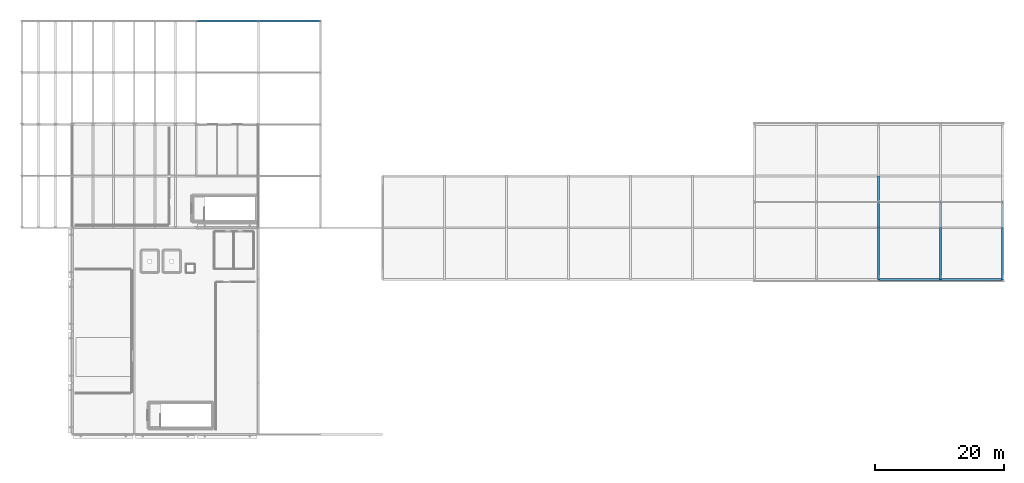
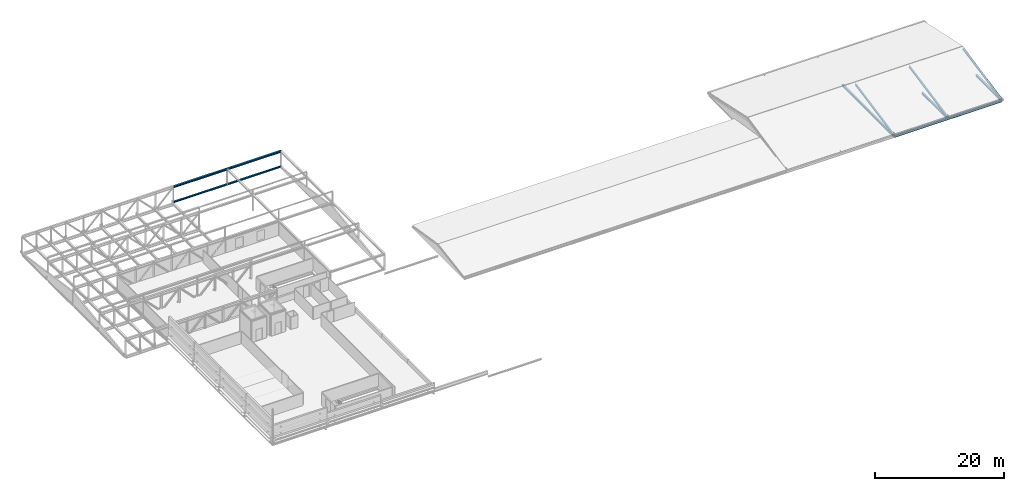
# One storey, part 24 of 34: 10 beams, 3 members.
"""IFC4 building model written with IfcOpenShell, lengths in metres."""

from ifc_helpers import new_model, si_unit, direction, frame, origin, origin_2d, place, context, subcontext, project, spatial, i_section, extrude, material, material_profile, profile_set, type_object, element, save


model = new_model("IFC4")

# Units and contexts
model_context = context("Model", 3, precision=1e-05, world=origin(), true_north=direction((0.0, 1.0)))
body_context = subcontext(model_context, "Body", "Model", "MODEL_VIEW")
ifc_project = project(units=[si_unit("LENGTHUNIT", "METRE"), si_unit("AREAUNIT", "SQUARE_METRE"), si_unit("VOLUMEUNIT", "CUBIC_METRE"), si_unit("PLANEANGLEUNIT", "RADIAN"), si_unit("MASSUNIT", "GRAM", prefix="KILO")], contexts=[model_context])

# Site, building, storey
site_placement = place(None, origin())
site = spatial("IfcSite", under=ifc_project, at=site_placement, CompositionType="ELEMENT")
building_placement = place(site_placement, origin())
building = spatial("IfcBuilding", under=site, at=building_placement, Name="Alderhovde Museum", CompositionType="ELEMENT")
storey_placement = place(building_placement, frame((0.0, 0.0, 25.800048828125)))
storey = spatial("IfcBuildingStorey", under=building, at=storey_placement, Name="L05", CompositionType="ELEMENT", Elevation=25.800048828125)

# Beams
ifc_material_1 = material(Name="Steel S355J2", Category="steel")
ifc_material_profile_1 = material_profile(ifc_material_1, i_section(OverallWidth=0.300048828125, OverallDepth=0.330078125, WebThickness=0.009521484375, FlangeThickness=0.0166015625, FilletRadius=0.027099609375, at=origin_2d()), Name="HEA 340")
ifc_profile_set_1 = profile_set([ifc_material_profile_1], Name="Steel S355J2")
beam_type_1 = type_object("IfcBeamType", Name="BM-HEA340", PredefinedType="BEAM", material=ifc_profile_set_1)
beam_1_placement = place(storey_placement, frame((28.800048828125, 112.0, 2.75), z_axis=(1.0, 0.0, 0.0), x_axis=(0.0, 1.0, 0.0)))
element("IfcBeam", 1, at=beam_1_placement, inside=storey, type_object=beam_type_1, Name="L05 Vol 4 Roof Beam Y=112", PredefinedType="BEAM", context=body_context, shape_type="SweptSolid", body=[
    extrude(i_section(OverallWidth=0.300048828125, OverallDepth=0.330078125, WebThickness=0.009521484375, FlangeThickness=0.0166015625, FilletRadius=0.027099609375, at=origin_2d()), origin(), (0.0, 0.0, 1.0), 9.599853515625),
])
beam_2_placement = place(storey_placement, frame((38.39990234375, 112.0, 2.75), z_axis=(1.0, 0.0, 0.0), x_axis=(0.0, 1.0, 0.0)))
element("IfcBeam", 2, at=beam_2_placement, inside=storey, type_object=beam_type_1, Name="L05 Vol 4 Roof Beam Y=112", PredefinedType="BEAM", context=body_context, shape_type="SweptSolid", body=[
    extrude(i_section(OverallWidth=0.300048828125, OverallDepth=0.330078125, WebThickness=0.009521484375, FlangeThickness=0.0166015625, FilletRadius=0.027099609375, at=origin_2d()), origin(), (0.0, 0.0, 1.0), 9.60009765625),
])
for number, where, z_axis, x_axis, name in (
    (3, (134.39990234375, 72.0, -0.420166015625), (0.0, 1.0, 0.0), (-1.0, 0.0, 0.0), "L05 Vol 5 Roof Tie X=134.4"),
    (4, (134.39990234375, 80.0, -0.420166015625), (0.0, 1.0, 0.0), (-1.0, 0.0, 0.0), "L05 Vol 5 Roof Tie X=134.4"),
    (5, (144.0, 72.0, -0.420166015625), (0.0, 1.0, 0.0), (-1.0, 0.0, 0.0), "L05 Vol 5 Roof Tie X=144.0"),
    (6, (153.60009765625, 72.0, -0.420166015625), (0.0, 1.0, 0.0), (-1.0, 0.0, 0.0), "L05 Vol 5 Roof Tie X=153.6"),
):
    element("IfcBeam", number, at=place(storey_placement, frame(where, z_axis=z_axis, x_axis=x_axis)), inside=storey, type_object=beam_type_1, Name=name, PredefinedType="BEAM", context=body_context, shape_type="SweptSolid", body=[
        extrude(i_section(OverallWidth=0.300048828125, OverallDepth=0.330078125, WebThickness=0.009521484375, FlangeThickness=0.0166015625, FilletRadius=0.027099609375, at=origin_2d()), origin(), (0.0, 0.0, 1.0), 8.0),
    ])
for number, where, z_axis, x_axis, name in (
    (7, (134.39990234375, 72.0, -0.420166015625), (1.0, 0.0, 0.0), (0.0, 1.0, 0.0), "L05 Vol 5 Roof Beam Y=72"),
    (8, (144.0, 72.0, -0.420166015625), (1.0, 0.0, 0.0), (0.0, 1.0, 0.0), "L05 Vol 5 Roof Beam Y=72"),
):
    element("IfcBeam", number, at=place(storey_placement, frame(where, z_axis=z_axis, x_axis=x_axis)), inside=storey, type_object=beam_type_1, Name=name, PredefinedType="BEAM", context=body_context, shape_type="SweptSolid", body=[
        extrude(i_section(OverallWidth=0.300048828125, OverallDepth=0.330078125, WebThickness=0.009521484375, FlangeThickness=0.0166015625, FilletRadius=0.027099609375, at=origin_2d()), origin(), (0.0, 0.0, 1.0), 9.60009765625),
    ])
ifc_material_2 = material(Name="Steel S355J2", Category="steel")
ifc_material_profile_2 = material_profile(ifc_material_2, i_section(OverallWidth=0.260009765625, OverallDepth=0.25, WebThickness=0.007568359375, FlangeThickness=0.012451171875, FilletRadius=0.02392578125, at=origin_2d()), Name="HEA 260")
ifc_profile_set_2 = profile_set([ifc_material_profile_2], Name="Steel S355J2")
beam_type_2 = type_object("IfcBeamType", Name="SPD-HEA260", PredefinedType="SPANDREL", material=ifc_profile_set_2)
beam_3_placement = place(storey_placement, frame((28.800048828125, 112.0, -0.130126953125), z_axis=(1.0, 0.0, 0.0), x_axis=(0.0, 1.0, 0.0)))
element("IfcBeam", 9, at=beam_3_placement, inside=storey, type_object=beam_type_2, Name="L05 Vol 4 Perimeter Spandrel Y=112", PredefinedType="SPANDREL", context=body_context, shape_type="SweptSolid", body=[
    extrude(i_section(OverallWidth=0.260009765625, OverallDepth=0.25, WebThickness=0.007568359375, FlangeThickness=0.012451171875, FilletRadius=0.02392578125, at=origin_2d()), origin(), (0.0, 0.0, 1.0), 9.599853515625),
])
beam_4_placement = place(storey_placement, frame((38.39990234375, 112.0, -0.130126953125), z_axis=(1.0, 0.0, 0.0), x_axis=(0.0, 1.0, 0.0)))
element("IfcBeam", 10, at=beam_4_placement, inside=storey, type_object=beam_type_2, Name="L05 Vol 4 Perimeter Spandrel Y=112", PredefinedType="SPANDREL", context=body_context, shape_type="SweptSolid", body=[
    extrude(i_section(OverallWidth=0.260009765625, OverallDepth=0.25, WebThickness=0.007568359375, FlangeThickness=0.012451171875, FilletRadius=0.02392578125, at=origin_2d()), origin(), (0.0, 0.0, 1.0), 9.60009765625),
])

# Members
ifc_material_3 = material(Name="Steel S355J2", Category="steel")
ifc_material_profile_3 = material_profile(ifc_material_3, i_section(OverallWidth=0.260009765625, OverallDepth=0.25, WebThickness=0.007568359375, FlangeThickness=0.012451171875, FilletRadius=0.02392578125, at=origin_2d()), Name="HEA 260")
ifc_profile_set_3 = profile_set([ifc_material_profile_3], Name="Steel S355J2")
member_type = type_object("IfcMemberType", Name="TR-CH-HEA260", PredefinedType="CHORD", material=ifc_profile_set_3)
for number, where, z_axis, x_axis, name in (
    (11, (134.39990234375, 72.0, -0.25), (0.0, 0.980582210276, 0.196108462057), (-1.0, 0.0, 0.0), "L05 Vol 5 South Rafter X=134.4"),
    (12, (144.0, 72.0, -0.25), (0.0, 0.980582210276, 0.196108462057), (-1.0, 0.0, 0.0), "L05 Vol 5 South Rafter X=144.0"),
    (13, (153.60009765625, 72.0, -0.25), (0.0, 0.980582210276, 0.196108462057), (-1.0, 0.0, 0.0), "L05 Vol 5 South Rafter X=153.6"),
):
    element("IfcMember", number, at=place(storey_placement, frame(where, z_axis=z_axis, x_axis=x_axis)), inside=storey, type_object=member_type, Name=name, PredefinedType="CHORD", context=body_context, shape_type="SweptSolid", body=[
        extrude(i_section(OverallWidth=0.260009765625, OverallDepth=0.25, WebThickness=0.007568359375, FlangeThickness=0.012451171875, FilletRadius=0.02392578125, at=origin_2d()), origin(), (0.0, 0.0, 1.0), 12.237548828125),
    ])

save(model, "model.ifc")
